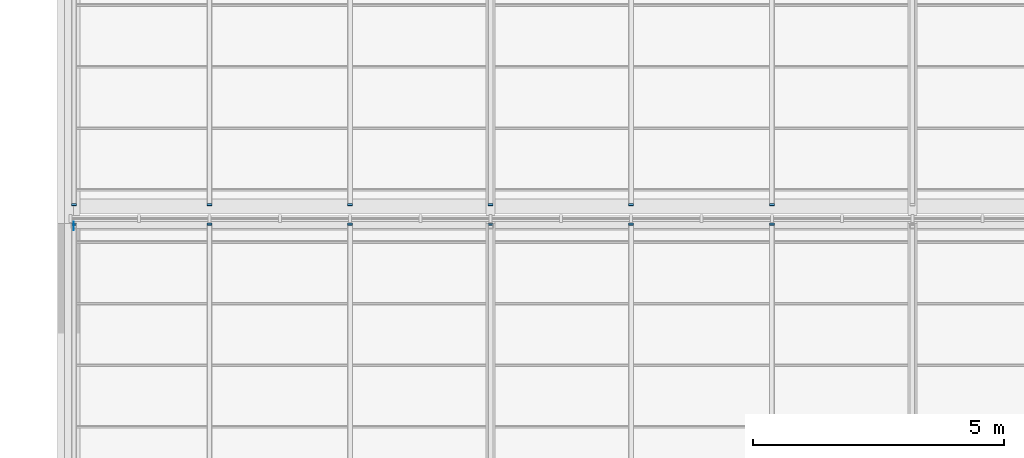
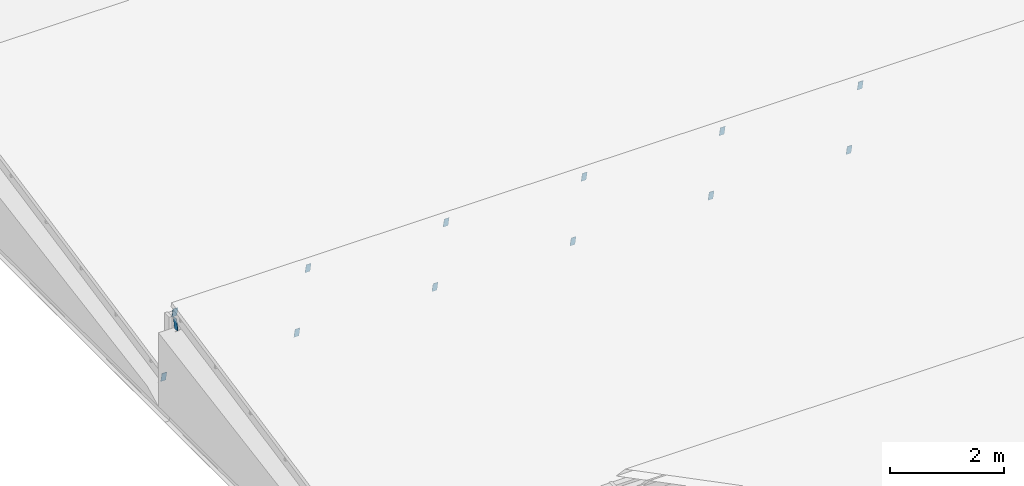
# One storey, part 98 of 121: 13 discrete accessories.
"""IFC4 building model written with IfcOpenShell, lengths in metres."""

import ifcopenshell
import ifcopenshell.guid

model = None  # the IFC model being written
_history = None  # IfcOwnerHistory: only IFC2X3 demands one
_inside = {}  # id of a spatial element -> (the spatial element, [elements in it])
_under = {}  # id of a project, library or spatial element -> (it, [spatial elements below it])
_declared = {}  # id of a project -> (the project, [libraries it declares])
_typed = {}  # id of a type object -> (the type object, [elements of that type])
_made_of = {}  # id of a material, layer set ... -> (it, [elements and type objects made of it])


def new_model(schema):
    """Start an empty IFC model of exactly this schema.

    Asked for "IFC4X3", IfcOpenShell would pick the latest addendum, in which some entities
    have other attributes; the version numbers below select the first issue.
    IFC2X3 requires an IfcOwnerHistory on every rooted entity: one is made here for all.
    """
    global model, _history
    if schema == "IFC4X3":
        model = ifcopenshell.file(schema_version=(4, 3, 0, 0))
    else:
        model = ifcopenshell.file(schema=schema)
    _inside.clear()
    _under.clear()
    _declared.clear()
    _typed.clear()
    _made_of.clear()
    _history = None
    if model.schema == "IFC2X3":
        org = make("IfcOrganization", Name="unknown")
        user = make(
            "IfcPersonAndOrganization",
            ThePerson=make("IfcPerson", FamilyName="unknown"),
            TheOrganization=org,
        )
        app = make(
            "IfcApplication",
            ApplicationDeveloper=org,
            Version="unknown",
            ApplicationFullName="unknown",
            ApplicationIdentifier="unknown",
        )
        _history = make(
            "IfcOwnerHistory",
            OwningUser=user,
            OwningApplication=app,
            ChangeAction="ADDED",
            CreationDate=0,
        )
    return model


def make(cls, **values):
    """One entity of the class cls with the attributes given. An attribute that is None is left unset."""
    return model.create_entity(
        cls, **{name: value for name, value in values.items() if value is not None}
    )


def rooted(cls, **values):
    """An entity with a GlobalId (a new one), such as an element, a storey or a relation."""
    return make(cls, GlobalId=ifcopenshell.guid.new(), OwnerHistory=_history, **values)


def si_unit(unit_type, name, prefix=None):
    """IfcSIUnit, for example si_unit("LENGTHUNIT", "METRE", prefix="MILLI")."""
    return make("IfcSIUnit", UnitType=unit_type, Prefix=prefix, Name=name)


def assignment(units):
    """IfcUnitAssignment: the units of a project."""
    return None if units is None else make("IfcUnitAssignment", Units=units)


def point(xyz):
    """IfcCartesianPoint."""
    return None if xyz is None else make("IfcCartesianPoint", Coordinates=xyz)


def direction(xyz):
    """IfcDirection."""
    return None if xyz is None else make("IfcDirection", DirectionRatios=xyz)


def frame(location, z_axis=None, x_axis=None):
    """IfcAxis2Placement3D, a coordinate frame: its origin and axes. An axis left out is left unset."""
    return make(
        "IfcAxis2Placement3D",
        Location=point(location),
        Axis=direction(z_axis),
        RefDirection=direction(x_axis),
    )


def frame_2d(location, x_axis=None):
    """IfcAxis2Placement2D, a coordinate frame in the plane: its origin and x axis."""
    return make(
        "IfcAxis2Placement2D", Location=point(location), RefDirection=direction(x_axis)
    )


def origin():
    """The frame at (0, 0, 0) with its axes left unset."""
    return frame((0.0, 0.0, 0.0))


def origin_2d():
    """The frame at (0, 0) in the plane with its x axis left unset."""
    return frame_2d((0.0, 0.0))


def place(relative_to, where):
    """IfcLocalPlacement: puts the frame where relative to a parent placement (None: the world)."""
    return make(
        "IfcLocalPlacement", PlacementRelTo=relative_to, RelativePlacement=where
    )


def context(
    kind, dimensions, precision=None, world=None, true_north=None, identifier=None
):
    """IfcGeometricRepresentationContext, for example the 3D "Model" context."""
    return make(
        "IfcGeometricRepresentationContext",
        ContextIdentifier=identifier,
        ContextType=kind,
        CoordinateSpaceDimension=dimensions,
        Precision=precision,
        WorldCoordinateSystem=world,
        TrueNorth=true_north,
    )


def subcontext(parent, identifier, kind, view, scale=None):
    """IfcGeometricRepresentationSubContext, for example "Body" below "Model"."""
    return make(
        "IfcGeometricRepresentationSubContext",
        ContextIdentifier=identifier,
        ContextType=kind,
        ParentContext=parent,
        TargetScale=scale,
        TargetView=view,
    )


def project(units=None, contexts=None):
    """IfcProject with its units and contexts."""
    return rooted(
        "IfcProject",
        Name="project",
        RepresentationContexts=contexts,
        UnitsInContext=assignment(units),
    )


def spatial(cls, under=None, at=None, **own):
    """A site, building, storey or space (cls), placed at a placement, below another one or the project."""
    s = rooted(cls, ObjectPlacement=at, **own)
    if under is not None:
        _under.setdefault(under.id(), (under, []))[1].append(s)
    return s


def profile(cls, at=None, kind="AREA", **sizes):
    """A parametric profile (cls). Its sizes go by their IFC names, for example OverallWidth=200.0."""
    return make(cls, ProfileType=kind, Position=at, **sizes)


def rectangle(**sizes):
    """IfcRectangleProfileDef."""
    return profile("IfcRectangleProfileDef", **sizes)


def extrude(swept, where, along, depth):
    """IfcExtrudedAreaSolid: the profile swept, set in the frame where, extruded along a direction by depth."""
    return make(
        "IfcExtrudedAreaSolid",
        SweptArea=swept,
        Position=where,
        ExtrudedDirection=direction(along),
        Depth=depth,
    )


def shape(context_of_items, identifier, shape_type, items):
    """IfcShapeRepresentation: the items that make up one representation, for example the "Body"."""
    return make(
        "IfcShapeRepresentation",
        ContextOfItems=context_of_items,
        RepresentationIdentifier=identifier,
        RepresentationType=shape_type,
        Items=items,
    )


def material(Name=None, Category=None):
    """IfcMaterial."""
    return make("IfcMaterial", Name=Name, Category=Category)


def material_profile(
    of_material, cross_section, Name=None, Category=None, Priority=None
):
    """IfcMaterialProfile: a cross section and its material."""
    return make(
        "IfcMaterialProfile",
        Name=Name,
        Material=of_material,
        Profile=cross_section,
        Priority=Priority,
        Category=Category,
    )


def profile_set(profiles, Name=None, composite=None):
    """IfcMaterialProfileSet."""
    return make(
        "IfcMaterialProfileSet",
        Name=Name,
        MaterialProfiles=profiles,
        CompositeProfile=composite,
    )


def made_of(thing, what):
    """Note that an element or type object is made of a material, layer set ...; save() writes the relation."""
    if what is not None:
        _made_of.setdefault(what.id(), (what, []))[1].append(thing)
    return thing


def type_object(cls, material=None, **own):
    """A type object (cls), such as IfcWallType, which elements share."""
    return made_of(rooted(cls, **own), material)


def element(
    cls,
    number,
    at=None,
    inside=None,
    cuts=None,
    type_object=None,
    material=None,
    context=None,
    identifier="Body",
    shape_type=None,
    held_by="IfcProductDefinitionShape",
    body=None,
    shapes=None,
    **own,
):
    """One element of the class cls, such as IfcWall. Its Tag is "e" and its number.

    at: its placement. inside: the storey or other place that contains it. cuts: it is an
    opening in that element (IfcRelVoidsElement). A single representation is given by context,
    identifier, shape_type and body (its items); several are given by shapes. held_by: the class
    of the entity that holds the representations. save() writes the other relations.
    """
    e = rooted(cls, Tag="e%d" % number, ObjectPlacement=at, **own)
    if body is not None:
        shapes = [shape(context, identifier, shape_type, body)]
    if shapes is not None:
        e.Representation = make(held_by, Representations=shapes)
    if inside is not None:
        _inside.setdefault(inside.id(), (inside, []))[1].append(e)
    if cuts is not None:
        rooted(
            "IfcRelVoidsElement", RelatingBuildingElement=cuts, RelatedOpeningElement=e
        )
    if type_object is not None:
        _typed.setdefault(type_object.id(), (type_object, []))[1].append(e)
    return made_of(e, material)


def aggregate(whole, parts):
    """IfcRelAggregates: a whole, such as a stair, and the parts it consists of."""
    return rooted("IfcRelAggregates", RelatingObject=whole, RelatedObjects=parts)


def save(model, path):
    """Write the relations noted so far, then the file.

    IfcRelAggregates (storeys below a building ...), IfcRelContainedInSpatialStructure (elements
    in a storey), IfcRelDefinesByType, IfcRelAssociatesMaterial and IfcRelDeclares: one each for
    every whole, place, type object, material and project.
    """
    for whole, parts in _under.values():
        aggregate(whole, parts)
    for where, things in _inside.values():
        rooted(
            "IfcRelContainedInSpatialStructure",
            RelatedElements=things,
            RelatingStructure=where,
        )
    for kind, things in _typed.values():
        rooted("IfcRelDefinesByType", RelatedObjects=things, RelatingType=kind)
    for what, things in _made_of.values():
        rooted("IfcRelAssociatesMaterial", RelatedObjects=things, RelatingMaterial=what)
    for by, libraries in _declared.values():
        rooted("IfcRelDeclares", RelatingContext=by, RelatedDefinitions=libraries)
    model.write(path)


model = new_model("IFC4")

# Units and contexts
model_context = context("Model", 3, precision=1e-05, world=origin(), true_north=direction((0.0, 1.0)))
body_context = subcontext(model_context, "Body", "Model", "MODEL_VIEW")
ifc_project = project(units=[si_unit("LENGTHUNIT", "METRE"), si_unit("AREAUNIT", "SQUARE_METRE"), si_unit("VOLUMEUNIT", "CUBIC_METRE"), si_unit("PLANEANGLEUNIT", "RADIAN"), si_unit("MASSUNIT", "GRAM", prefix="KILO")], contexts=[model_context])

# Site, building, storey
site_placement = place(None, origin())
site = spatial("IfcSite", under=ifc_project, at=site_placement, CompositionType="ELEMENT")
building_placement = place(site_placement, origin())
building = spatial("IfcBuilding", under=site, at=building_placement, Name="Ardhachandra Cancer Care Centre", CompositionType="ELEMENT")
storey_placement = place(building_placement, frame((0.0, 0.0, 9.0)))
storey = spatial("IfcBuildingStorey", under=building, at=storey_placement, Name="L02", CompositionType="ELEMENT", Elevation=9.0)

# Discrete accessories
ifc_material_1 = material(Name="Galvanised flat steel (Steel E250 (IS 2062))", Category="steel")
ifc_material_profile_1 = material_profile(ifc_material_1, rectangle(XDim=0.10009765625, YDim=0.199951171875, at=origin_2d()), Name="Rafter end plate 200 x 100 x 8")
ifc_profile_set_1 = profile_set([ifc_material_profile_1], Name="Galvanised flat steel (Steel E250 (IS 2062))")
discrete_accessory_type_1 = type_object("IfcDiscreteAccessoryType", Name="Rafter end plate 200 x 100 x 8", PredefinedType="BRACKET", material=ifc_profile_set_1)
for number, where, z_axis, x_axis, name in (
    (1, (10.89990234375, 54.580078125, 1.91796875), (0.0, 0.976900017396, 0.213696878805), (-1.0, 0.0, 0.0), "Rafter end plate T3a.1.2"),
    (2, (13.60009765625, 54.580078125, 1.91796875), (0.0, 0.976900017396, 0.213696878805), (-1.0, 0.0, 0.0), "Rafter end plate T3a.2.2"),
    (3, (16.39990234375, 54.580078125, 1.91796875), (0.0, 0.976900017396, 0.213696878805), (-1.0, 0.0, 0.0), "Rafter end plate T3a.3.2"),
    (4, (19.199951171875, 54.580078125, 1.91796875), (0.0, 0.976900017396, 0.213696878805), (-1.0, 0.0, 0.0), "Rafter end plate T3a.4.2"),
    (5, (22.0, 54.580078125, 1.91796875), (0.0, 0.976900017396, 0.213696878805), (-1.0, 0.0, 0.0), "Rafter end plate T3a.5.2"),
    (6, (24.800048828125, 54.580078125, 1.91796875), (0.0, 0.976900017396, 0.213696878805), (-1.0, 0.0, 0.0), "Rafter end plate T3a.6.2"),
    (7, (10.89990234375, 54.980224609375, 0.298095703125), (0.0, -0.976900017396, -0.213696878805), (1.0, 0.0, 0.0), "Rafter end plate T4a.1.1"),
    (8, (13.60009765625, 54.980224609375, 0.298095703125), (0.0, -0.976900017396, -0.213696878805), (1.0, 0.0, 0.0), "Rafter end plate T4a.2.1"),
    (9, (16.39990234375, 54.980224609375, 0.298095703125), (0.0, -0.976900017396, -0.213696878805), (1.0, 0.0, 0.0), "Rafter end plate T4a.3.1"),
    (10, (19.199951171875, 54.980224609375, 0.298095703125), (0.0, -0.976900017396, -0.213696878805), (1.0, 0.0, 0.0), "Rafter end plate T4a.4.1"),
    (11, (22.0, 54.980224609375, 0.298095703125), (0.0, -0.976900017396, -0.213696878805), (1.0, 0.0, 0.0), "Rafter end plate T4a.5.1"),
    (12, (24.800048828125, 54.980224609375, 0.298095703125), (0.0, -0.976900017396, -0.213696878805), (1.0, 0.0, 0.0), "Rafter end plate T4a.6.1"),
):
    element("IfcDiscreteAccessory", number, at=place(storey_placement, frame(where, z_axis=z_axis, x_axis=x_axis)), inside=storey, type_object=discrete_accessory_type_1, Name=name, PredefinedType="BRACKET", context=body_context, shape_type="SweptSolid", body=[
        extrude(rectangle(XDim=0.10009765625, YDim=0.199951171875, at=origin_2d()), origin(), (0.0, 0.0, 1.0), 0.008056640625),
    ])
ifc_material_2 = material(Name="Galvanised flat steel (Steel E250 (IS 2062))", Category="steel")
ifc_material_profile_2 = material_profile(ifc_material_2, rectangle(XDim=0.1201171875, YDim=0.239990234375, at=origin_2d()), Name="Ridge beam end plate 240 x 120 x 8")
ifc_profile_set_2 = profile_set([ifc_material_profile_2], Name="Galvanised flat steel (Steel E250 (IS 2062))")
discrete_accessory_type_2 = type_object("IfcDiscreteAccessoryType", Name="Ridge beam end plate 240 x 120 x 8", PredefinedType="BRACKET", material=ifc_profile_set_2)
discrete_accessory_placement = place(storey_placement, frame((10.89990234375, 54.550048828125, 1.6875), z_axis=(-1.0, 0.0, 0.0), x_axis=(0.0, -0.980106641092, 0.198471590126)))
element("IfcDiscreteAccessory", 13, at=discrete_accessory_placement, inside=storey, type_object=discrete_accessory_type_2, Name="Ridge beam end plate T3a.1", PredefinedType="BRACKET", context=body_context, shape_type="SweptSolid", body=[
    extrude(rectangle(XDim=0.1201171875, YDim=0.239990234375, at=origin_2d()), origin(), (0.0, 0.0, 1.0), 0.0078125),
])

save(model, "model.ifc")
